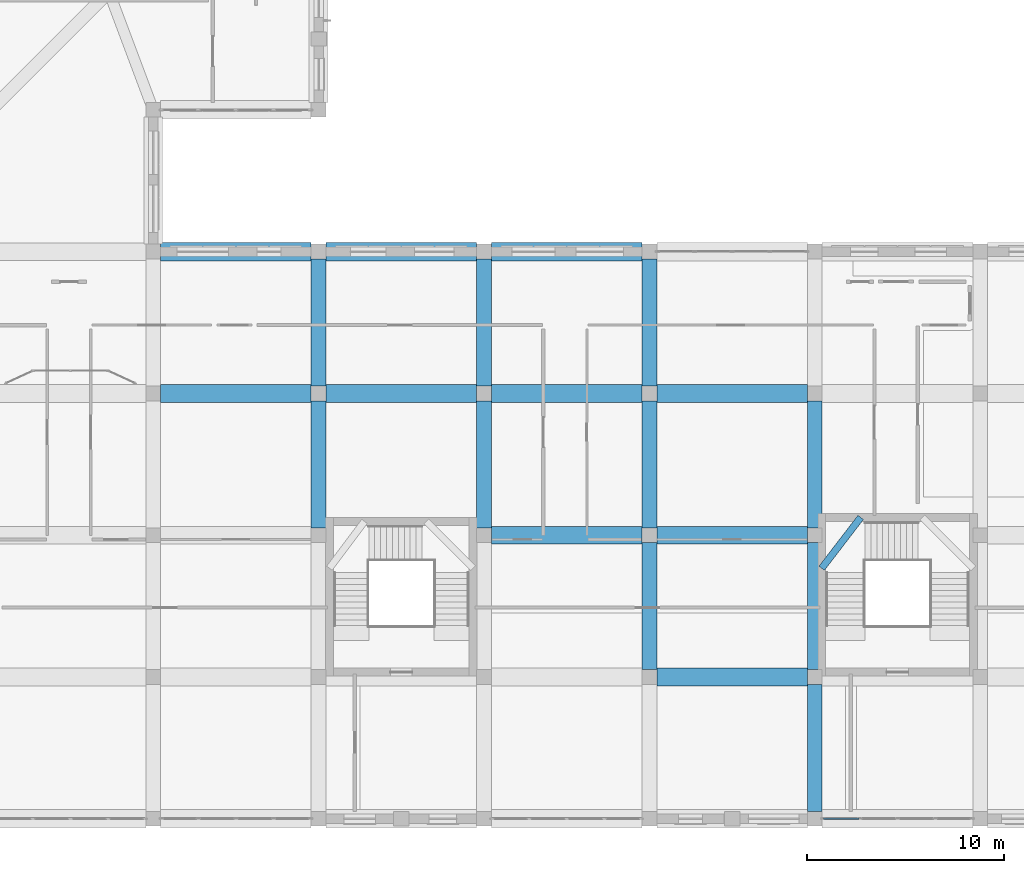
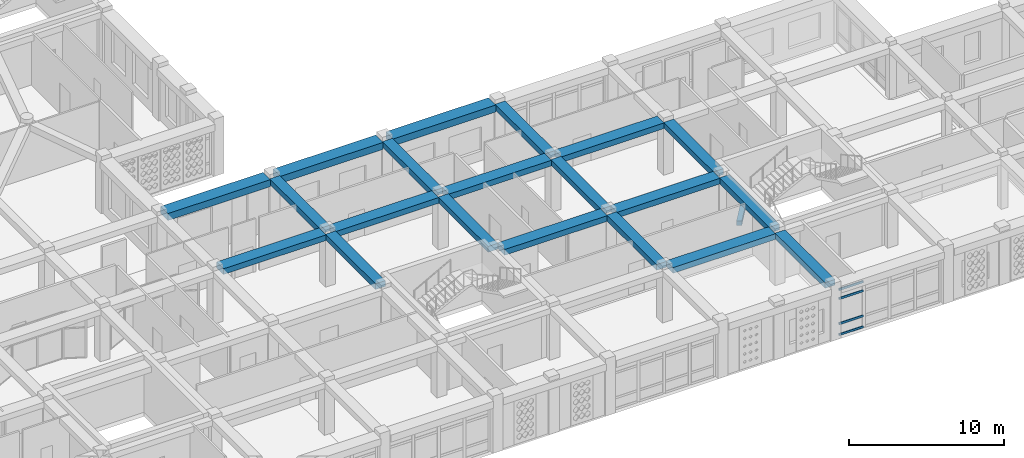
# One storey, part 31 of 121: 21 beams, 4 members, 1 element without a shape of its own.
"""IFC4 building model written with IfcOpenShell, lengths in metres."""

from ifc_helpers import new_model, si_unit, derived_unit, direction, frame, origin, origin_2d, place, context, subcontext, project, spatial, rectangle, hollow_rectangle, extrude, material, material_profile, profile_set, type_object, element, aggregate, save


model = new_model("IFC4")

# Units and contexts
model_context = context("Model", 3, precision=1e-05, world=origin(), true_north=direction((0.0, 1.0)))
body_context = subcontext(model_context, "Body", "Model", "MODEL_VIEW")
ifc_project = project(units=[si_unit("LENGTHUNIT", "METRE"), si_unit("AREAUNIT", "SQUARE_METRE"), si_unit("VOLUMEUNIT", "CUBIC_METRE"), si_unit("PLANEANGLEUNIT", "RADIAN"), si_unit("MASSUNIT", "GRAM", prefix="KILO"), derived_unit("THERMALTRANSMITTANCEUNIT", [(si_unit("POWERUNIT", "WATT"), 1), (si_unit("LENGTHUNIT", "METRE"), -2), (si_unit("THERMODYNAMICTEMPERATUREUNIT", "KELVIN"), -1)])], contexts=[model_context])

# Site, building, storey
site_placement = place(None, origin())
site = spatial("IfcSite", under=ifc_project, at=site_placement, CompositionType="ELEMENT")
building_placement = place(site_placement, origin())
building = spatial("IfcBuilding", under=site, at=building_placement, Name="Veybourne Emporium", CompositionType="ELEMENT")
storey_placement = place(building_placement, frame((0.0, 0.0, 5.39990234375)))
storey = spatial("IfcBuildingStorey", under=building, at=storey_placement, Name="L01", CompositionType="ELEMENT", Elevation=5.39990234375)

# Curtain wall, members
ifc_material_1 = material(Name="Patinated Architectural Bronze", Category="bronze")
curtain_wall_type = type_object("IfcCurtainWallType", Name="CWSystem_CWS-26", PredefinedType="NOTDEFINED", material=ifc_material_1)
curtain_wall_placement = place(storey_placement, origin())
curtain_wall = element("IfcCurtainWall", 1, at=curtain_wall_placement, inside=storey, type_object=curtain_wall_type, Name="L01 bronze glazed curtain wall CWS-26 (067)", PredefinedType="NOTDEFINED")
ifc_material_profile_1 = material_profile(ifc_material_1, hollow_rectangle(XDim=0.074951171875, YDim=0.179931640625, WallThickness=0.0048828125, InnerFilletRadius=0.007568359375, OuterFilletRadius=0.012451171875, at=origin_2d()), Name="CWT 75x180x5")
ifc_profile_set_1 = profile_set([ifc_material_profile_1], Name="Patinated Architectural Bronze")
member_type = type_object("IfcMemberType", Name="CWTransom_CW-T2", PredefinedType="NOTDEFINED", material=ifc_profile_set_1)
member_1_placement = place(storey_placement, frame((128.25, 0.0, 0.03759765625), z_axis=(-1.0, 0.0, 0.0), x_axis=(0.0, -1.0, 0.0)))
member_1 = element("IfcMember", 2, at=member_1_placement, type_object=member_type, Name="CWS-26 transom 4.1", ObjectType="TRANSOM", PredefinedType="USERDEFINED", context=body_context, shape_type="SweptSolid", body=[
    extrude(hollow_rectangle(XDim=0.074951171875, YDim=0.179931640625, WallThickness=0.0048828125, InnerFilletRadius=0.007568359375, OuterFilletRadius=0.012451171875, at=origin_2d()), origin(), (0.0, 0.0, 1.0), 1.800048828125),
])
member_2_placement = place(storey_placement, frame((128.25, 0.0, 0.900146484375), z_axis=(-1.0, 0.0, 0.0), x_axis=(0.0, -1.0, 0.0)))
member_2 = element("IfcMember", 3, at=member_2_placement, type_object=member_type, Name="CWS-26 transom 4.2", ObjectType="TRANSOM", PredefinedType="USERDEFINED", context=body_context, shape_type="SweptSolid", body=[
    extrude(hollow_rectangle(XDim=0.074951171875, YDim=0.179931640625, WallThickness=0.0048828125, InnerFilletRadius=0.007568359375, OuterFilletRadius=0.012451171875, at=origin_2d()), origin(), (0.0, 0.0, 1.0), 1.800048828125),
])
member_3_placement = place(storey_placement, frame((128.25, 0.0, 2.880126953125), z_axis=(-1.0, 0.0, 0.0), x_axis=(0.0, -1.0, 0.0)))
member_3 = element("IfcMember", 4, at=member_3_placement, type_object=member_type, Name="CWS-26 transom 4.3", ObjectType="TRANSOM", PredefinedType="USERDEFINED", context=body_context, shape_type="SweptSolid", body=[
    extrude(hollow_rectangle(XDim=0.074951171875, YDim=0.179931640625, WallThickness=0.0048828125, InnerFilletRadius=0.007568359375, OuterFilletRadius=0.012451171875, at=origin_2d()), origin(), (0.0, 0.0, 1.0), 1.800048828125),
])
member_4_placement = place(storey_placement, frame((128.25, 0.0, 3.592529296875), z_axis=(-1.0, 0.0, 0.0), x_axis=(0.0, -1.0, 0.0)))
member_4 = element("IfcMember", 5, at=member_4_placement, type_object=member_type, Name="CWS-26 transom 4.4", ObjectType="TRANSOM", PredefinedType="USERDEFINED", context=body_context, shape_type="SweptSolid", body=[
    extrude(hollow_rectangle(XDim=0.074951171875, YDim=0.179931640625, WallThickness=0.0048828125, InnerFilletRadius=0.007568359375, OuterFilletRadius=0.012451171875, at=origin_2d()), origin(), (0.0, 0.0, 1.0), 1.800048828125),
])
aggregate(curtain_wall, [member_1, member_2, member_3, member_4])

# Beams
ifc_material_2 = material(Name="Concrete C32/40", Category="concrete")
ifc_material_profile_2 = material_profile(ifc_material_2, rectangle(XDim=0.35009765625, YDim=0.35009765625, at=origin_2d()), Name="RC 350x350")
ifc_profile_set_2 = profile_set([ifc_material_profile_2], Name="Concrete C32/40")
beam_type_1 = type_object("IfcBeamType", Name="LandingBeam_LB-01", PredefinedType="BEAM", material=ifc_profile_set_2)
beam_1_placement = place(storey_placement, frame((126.35009765625, 12.719970703125, 1.125), z_axis=(0.608803403446, 0.793321130409, 0.0), x_axis=(-0.793321130409, 0.608803403446, 0.0)))
element("IfcBeam", 6, at=beam_1_placement, inside=storey, type_object=beam_type_1, Name="L01 ST-06 landing 1 support beam", PredefinedType="BEAM", context=body_context, shape_type="SweptSolid", body=[
    extrude(rectangle(XDim=0.35009765625, YDim=0.35009765625, at=origin_2d()), origin(), (0.0, 0.0, 1.0), 3.252197265625),
])
ifc_material_profile_3 = material_profile(ifc_material_2, rectangle(XDim=0.89990234375, YDim=0.449951171875, at=origin_2d()), Name="RC 900x450")
ifc_profile_set_3 = profile_set([ifc_material_profile_3], Name="Concrete C32/40")
beam_type_2 = type_object("IfcBeamType", Name="RCBeam_BB-03", PredefinedType="BEAM", material=ifc_profile_set_3)
beam_2_placement = place(storey_placement, frame((92.77490234375, 21.60009765625, 3.955078125), z_axis=(1.0, 0.0, 0.0), x_axis=(0.0, 1.0, 0.0)))
element("IfcBeam", 7, at=beam_2_placement, inside=storey, type_object=beam_type_2, Name="L01 X-grid beam BB-03 (11,3)", PredefinedType="BEAM", context=body_context, shape_type="SweptSolid", body=[
    extrude(rectangle(XDim=0.89990234375, YDim=0.449951171875, at=origin_2d()), origin(), (0.0, 0.0, 1.0), 7.650146484375),
])
beam_3_placement = place(storey_placement, frame((101.175048828125, 21.60009765625, 3.955078125), z_axis=(1.0, 0.0, 0.0), x_axis=(0.0, 1.0, 0.0)))
element("IfcBeam", 8, at=beam_3_placement, inside=storey, type_object=beam_type_2, Name="L01 X-grid beam BB-03 (12,3)", PredefinedType="BEAM", context=body_context, shape_type="SweptSolid", body=[
    extrude(rectangle(XDim=0.89990234375, YDim=0.449951171875, at=origin_2d()), origin(), (0.0, 0.0, 1.0), 7.64990234375),
])
for number, where, z_axis, x_axis, name in (
    (9, (109.574951171875, 14.39990234375, 3.955078125), (1.0, 0.0, 0.0), (0.0, 1.0, 0.0), "L01 X-grid beam BB-03 (13,2)"),
    (10, (109.574951171875, 21.60009765625, 3.955078125), (1.0, 0.0, 0.0), (0.0, 1.0, 0.0), "L01 X-grid beam BB-03 (13,3)"),
):
    element("IfcBeam", number, at=place(storey_placement, frame(where, z_axis=z_axis, x_axis=x_axis)), inside=storey, type_object=beam_type_2, Name=name, PredefinedType="BEAM", context=body_context, shape_type="SweptSolid", body=[
        extrude(rectangle(XDim=0.89990234375, YDim=0.449951171875, at=origin_2d()), origin(), (0.0, 0.0, 1.0), 7.650146484375),
    ])
for number, where, z_axis, x_axis, name in (
    (11, (117.97509765625, 7.199951171875, 3.955078125), (1.0, 0.0, 0.0), (0.0, 1.0, 0.0), "L01 X-grid beam BB-03 (14,1)"),
    (12, (117.97509765625, 14.39990234375, 3.955078125), (1.0, 0.0, 0.0), (0.0, 1.0, 0.0), "L01 X-grid beam BB-03 (14,2)"),
    (13, (117.97509765625, 21.60009765625, 3.955078125), (1.0, 0.0, 0.0), (0.0, 1.0, 0.0), "L01 X-grid beam BB-03 (14,3)"),
):
    element("IfcBeam", number, at=place(storey_placement, frame(where, z_axis=z_axis, x_axis=x_axis)), inside=storey, type_object=beam_type_2, Name=name, PredefinedType="BEAM", context=body_context, shape_type="SweptSolid", body=[
        extrude(rectangle(XDim=0.89990234375, YDim=0.449951171875, at=origin_2d()), origin(), (0.0, 0.0, 1.0), 7.64990234375),
    ])
ifc_material_profile_4 = material_profile(ifc_material_2, rectangle(XDim=0.75, YDim=0.449951171875, at=origin_2d()), Name="RC 750x450")
ifc_profile_set_4 = profile_set([ifc_material_profile_4], Name="Concrete C32/40")
beam_type_3 = type_object("IfcBeamType", Name="RCBeam_BB-04", PredefinedType="BEAM", material=ifc_profile_set_4)
beam_4_placement = place(storey_placement, frame((100.800048828125, 14.77490234375, 3.955078125), z_axis=(0.0, 1.0, 0.0), x_axis=(-1.0, 0.0, 0.0)))
element("IfcBeam", 14, at=beam_4_placement, inside=storey, type_object=beam_type_3, Name="L01 Y-grid beam BB-04 (12,2)", PredefinedType="BEAM", context=body_context, shape_type="SweptSolid", body=[
    extrude(rectangle(XDim=0.75, YDim=0.449951171875, at=origin_2d()), origin(), (0.0, 0.0, 1.0), 6.4501953125),
])
beam_5_placement = place(storey_placement, frame((100.800048828125, 21.97509765625, 3.955078125), z_axis=(0.0, 1.0, 0.0), x_axis=(-1.0, 0.0, 0.0)))
element("IfcBeam", 15, at=beam_5_placement, inside=storey, type_object=beam_type_3, Name="L01 Y-grid beam BB-04 (12,3)", PredefinedType="BEAM", context=body_context, shape_type="SweptSolid", body=[
    extrude(rectangle(XDim=0.75, YDim=0.449951171875, at=origin_2d()), origin(), (0.0, 0.0, 1.0), 6.449951171875),
])
beam_6_placement = place(storey_placement, frame((109.199951171875, 14.77490234375, 3.955078125), z_axis=(0.0, 1.0, 0.0), x_axis=(-1.0, 0.0, 0.0)))
element("IfcBeam", 16, at=beam_6_placement, inside=storey, type_object=beam_type_3, Name="L01 Y-grid beam BB-04 (13,2)", PredefinedType="BEAM", context=body_context, shape_type="SweptSolid", body=[
    extrude(rectangle(XDim=0.75, YDim=0.449951171875, at=origin_2d()), origin(), (0.0, 0.0, 1.0), 6.4501953125),
])
for number, where, z_axis, x_axis, name in (
    (17, (109.199951171875, 21.97509765625, 3.955078125), (0.0, 1.0, 0.0), (-1.0, 0.0, 0.0), "L01 Y-grid beam BB-04 (13,3)"),
    (18, (117.60009765625, 7.574951171875, 3.955078125), (0.0, 1.0, 0.0), (-1.0, 0.0, 0.0), "L01 Y-grid beam BB-04 (14,1)"),
):
    element("IfcBeam", number, at=place(storey_placement, frame(where, z_axis=z_axis, x_axis=x_axis)), inside=storey, type_object=beam_type_3, Name=name, PredefinedType="BEAM", context=body_context, shape_type="SweptSolid", body=[
        extrude(rectangle(XDim=0.75, YDim=0.449951171875, at=origin_2d()), origin(), (0.0, 0.0, 1.0), 6.449951171875),
    ])
beam_7_placement = place(storey_placement, frame((117.60009765625, 14.77490234375, 3.955078125), z_axis=(0.0, 1.0, 0.0), x_axis=(-1.0, 0.0, 0.0)))
element("IfcBeam", 19, at=beam_7_placement, inside=storey, type_object=beam_type_3, Name="L01 Y-grid beam BB-04 (14,2)", PredefinedType="BEAM", context=body_context, shape_type="SweptSolid", body=[
    extrude(rectangle(XDim=0.75, YDim=0.449951171875, at=origin_2d()), origin(), (0.0, 0.0, 1.0), 6.4501953125),
])
for number, where, z_axis, x_axis, name in (
    (20, (117.60009765625, 21.97509765625, 3.955078125), (0.0, 1.0, 0.0), (-1.0, 0.0, 0.0), "L01 Y-grid beam BB-04 (14,3)"),
    (21, (126.0, 0.375, 3.955078125), (0.0, 1.0, 0.0), (-1.0, 0.0, 0.0), "L01 Y-grid beam BB-04 (15,0)"),
    (22, (126.0, 7.574951171875, 3.955078125), (0.0, 1.0, 0.0), (-1.0, 0.0, 0.0), "L01 Y-grid beam BB-04 (15,1)"),
):
    element("IfcBeam", number, at=place(storey_placement, frame(where, z_axis=z_axis, x_axis=x_axis)), inside=storey, type_object=beam_type_3, Name=name, PredefinedType="BEAM", context=body_context, shape_type="SweptSolid", body=[
        extrude(rectangle(XDim=0.75, YDim=0.449951171875, at=origin_2d()), origin(), (0.0, 0.0, 1.0), 6.449951171875),
    ])
beam_8_placement = place(storey_placement, frame((126.0, 14.77490234375, 3.955078125), z_axis=(0.0, 1.0, 0.0), x_axis=(-1.0, 0.0, 0.0)))
element("IfcBeam", 23, at=beam_8_placement, inside=storey, type_object=beam_type_3, Name="L01 Y-grid beam BB-04 (15,2)", PredefinedType="BEAM", context=body_context, shape_type="SweptSolid", body=[
    extrude(rectangle(XDim=0.75, YDim=0.449951171875, at=origin_2d()), origin(), (0.0, 0.0, 1.0), 6.4501953125),
])
ifc_material_profile_5 = material_profile(ifc_material_2, rectangle(XDim=0.949951171875, YDim=0.550048828125, at=origin_2d()), Name="RC 950x550")
ifc_profile_set_5 = profile_set([ifc_material_profile_5], Name="Concrete C32/40")
beam_type_4 = type_object("IfcBeamType", Name="RCBeam_EB-01", PredefinedType="SPANDREL", material=ifc_profile_set_5)
beam_9_placement = place(storey_placement, frame((92.77490234375, 28.800048828125, 3.905029296875), z_axis=(1.0, 0.0, 0.0), x_axis=(0.0, 1.0, 0.0)))
element("IfcBeam", 24, at=beam_9_placement, inside=storey, type_object=beam_type_4, Name="L01 X-grid beam EB-01 (11,4)", PredefinedType="SPANDREL", context=body_context, shape_type="SweptSolid", body=[
    extrude(rectangle(XDim=0.949951171875, YDim=0.550048828125, at=origin_2d()), origin(), (0.0, 0.0, 1.0), 7.650146484375),
])
beam_10_placement = place(storey_placement, frame((101.175048828125, 28.800048828125, 3.905029296875), z_axis=(1.0, 0.0, 0.0), x_axis=(0.0, 1.0, 0.0)))
element("IfcBeam", 25, at=beam_10_placement, inside=storey, type_object=beam_type_4, Name="L01 X-grid beam EB-01 (12,4)", PredefinedType="SPANDREL", context=body_context, shape_type="SweptSolid", body=[
    extrude(rectangle(XDim=0.949951171875, YDim=0.550048828125, at=origin_2d()), origin(), (0.0, 0.0, 1.0), 7.64990234375),
])
beam_11_placement = place(storey_placement, frame((109.574951171875, 28.800048828125, 3.905029296875), z_axis=(1.0, 0.0, 0.0), x_axis=(0.0, 1.0, 0.0)))
element("IfcBeam", 26, at=beam_11_placement, inside=storey, type_object=beam_type_4, Name="L01 X-grid beam EB-01 (13,4)", PredefinedType="SPANDREL", context=body_context, shape_type="SweptSolid", body=[
    extrude(rectangle(XDim=0.949951171875, YDim=0.550048828125, at=origin_2d()), origin(), (0.0, 0.0, 1.0), 7.650146484375),
])

save(model, "model.ifc")
